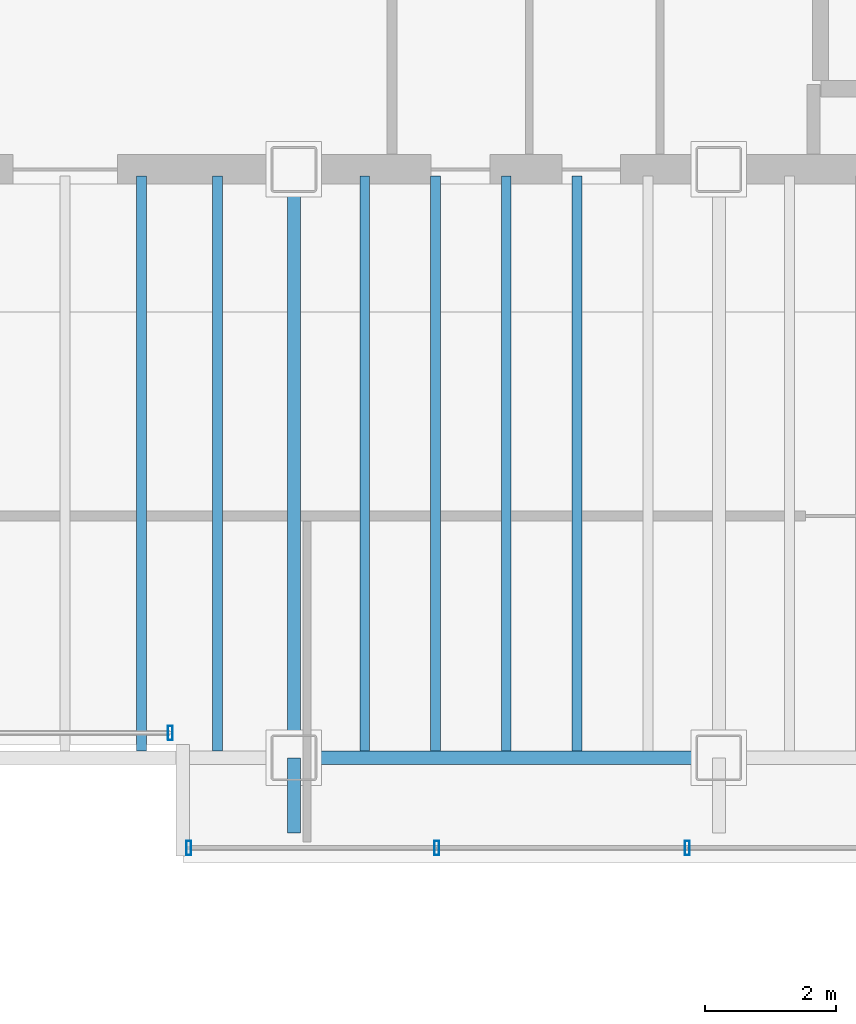
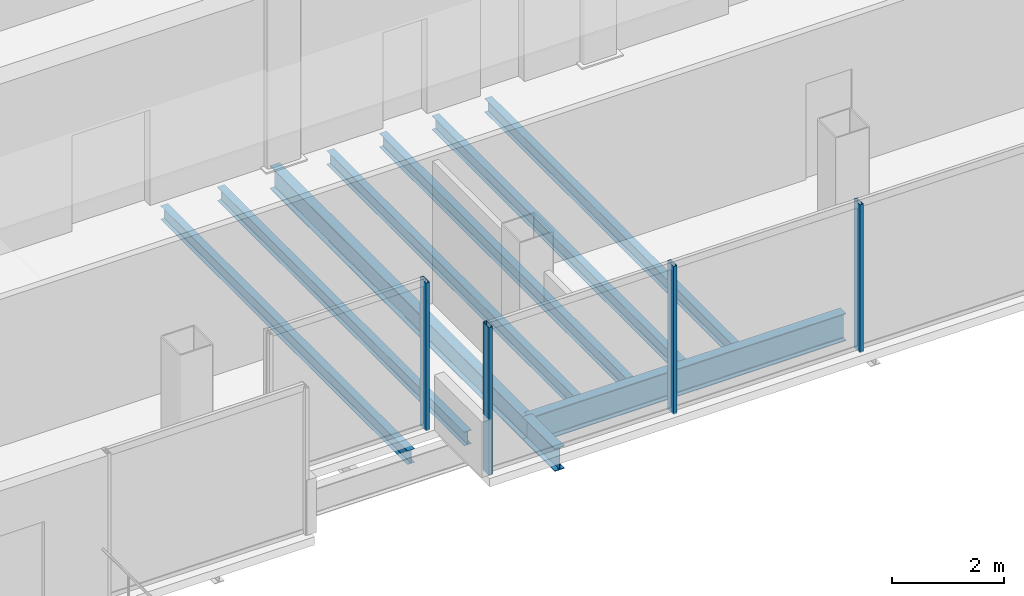
# One storey, part 6 of 17: 9 beams, 4 members, 2 elements without a shape of their own.
"""IFC4 building model written with IfcOpenShell, lengths in metres."""

from ifc_helpers import new_model, si_unit, direction, frame, origin, origin_2d, place, context, subcontext, project, spatial, hollow_rectangle, i_section, extrude, material, material_profile, profile_set, type_object, element, aggregate, save


model = new_model("IFC4")

# Units and contexts
model_context = context("Model", 3, precision=1e-05, world=origin(), true_north=direction((0.0, 1.0)))
body_context = subcontext(model_context, "Body", "Model", "MODEL_VIEW")
ifc_project = project(units=[si_unit("LENGTHUNIT", "METRE"), si_unit("AREAUNIT", "SQUARE_METRE"), si_unit("VOLUMEUNIT", "CUBIC_METRE"), si_unit("PLANEANGLEUNIT", "RADIAN"), si_unit("MASSUNIT", "GRAM", prefix="KILO")], contexts=[model_context])

# Site, building, storey
site_placement = place(None, origin())
site = spatial("IfcSite", under=ifc_project, at=site_placement, CompositionType="ELEMENT")
building_placement = place(site_placement, origin())
building = spatial("IfcBuilding", under=site, at=building_placement, Name="Noeulbin Bourse Tower", CompositionType="ELEMENT")
storey_placement = place(building_placement, frame((0.0, 0.0, 285.199951171875)))
storey = spatial("IfcBuildingStorey", under=building, at=storey_placement, Name="L71", CompositionType="ELEMENT", Elevation=285.199951171875)

# Beams
ifc_material_1 = material(Name="Steel S355", Category="steel")
ifc_material_profile_1 = material_profile(ifc_material_1, i_section(OverallWidth=0.199951171875, OverallDepth=0.5, WebThickness=0.010009765625, FlangeThickness=0.01611328125, FilletRadius=0.02001953125, at=origin_2d()), Name="H-500x200x10x16", Category="LoadBearing")
ifc_profile_set_1 = profile_set([ifc_material_profile_1], Name="Steel S355")
beam_type_1 = type_object("IfcBeamType", Name="BM-GRD-500", PredefinedType="USERDEFINED", material=ifc_profile_set_1)
beam_1_placement = place(storey_placement, frame((31.0, 18.85009765625, -0.429931640625), z_axis=(0.0, 1.0, 0.0), x_axis=(-1.0, 0.0, 0.0)))
element("IfcBeam", 1, at=beam_1_placement, inside=storey, type_object=beam_type_1, Name="Tower Primary Girder NS L71-3.1", ObjectType="GIRDER", PredefinedType="USERDEFINED", context=body_context, shape_type="SweptSolid", body=[
    extrude(i_section(OverallWidth=0.199951171875, OverallDepth=0.5, WebThickness=0.010009765625, FlangeThickness=0.01611328125, FilletRadius=0.02001953125, at=origin_2d()), origin(), (0.0, 0.0, 1.0), 1.14990234375),
])
beam_2_placement = place(storey_placement, frame((31.0, 20.0, -0.429931640625), z_axis=(0.0, 1.0, 0.0), x_axis=(-1.0, 0.0, 0.0)))
element("IfcBeam", 2, at=beam_2_placement, inside=storey, type_object=beam_type_1, Name="Tower Primary Girder NS L71-3.2", ObjectType="GIRDER", PredefinedType="USERDEFINED", context=body_context, shape_type="SweptSolid", body=[
    extrude(i_section(OverallWidth=0.199951171875, OverallDepth=0.5, WebThickness=0.010009765625, FlangeThickness=0.01611328125, FilletRadius=0.02001953125, at=origin_2d()), origin(), (0.0, 0.0, 1.0), 9.0),
])
ifc_material_profile_2 = material_profile(ifc_material_1, i_section(OverallWidth=0.199951171875, OverallDepth=0.60009765625, WebThickness=0.010986328125, FlangeThickness=0.01708984375, FilletRadius=0.02197265625, at=origin_2d()), Name="H-600x200x11x17", Category="LoadBearing")
ifc_profile_set_2 = profile_set([ifc_material_profile_2], Name="Steel S355")
beam_type_2 = type_object("IfcBeamType", Name="BM-GRD-600", PredefinedType="USERDEFINED", material=ifc_profile_set_2)
beam_3_placement = place(storey_placement, frame((31.0, 20.0, -0.47998046875), z_axis=(1.0, 0.0, 0.0), x_axis=(0.0, 1.0, 0.0)))
element("IfcBeam", 3, at=beam_3_placement, inside=storey, type_object=beam_type_2, Name="Tower Primary Girder EW L71-1.2", ObjectType="GIRDER", PredefinedType="USERDEFINED", context=body_context, shape_type="SweptSolid", body=[
    extrude(i_section(OverallWidth=0.199951171875, OverallDepth=0.60009765625, WebThickness=0.010986328125, FlangeThickness=0.01708984375, FilletRadius=0.02197265625, at=origin_2d()), origin(), (0.0, 0.0, 1.0), 6.5),
])
ifc_material_profile_3 = material_profile(ifc_material_1, i_section(OverallWidth=0.14990234375, OverallDepth=0.300048828125, WebThickness=0.006591796875, FlangeThickness=0.009033203125, FilletRadius=0.012939453125, at=origin_2d()), Name="H-300x150x6.5x9", Category="LoadBearing")
ifc_profile_set_3 = profile_set([ifc_material_profile_3], Name="Steel S355")
beam_type_3 = type_object("IfcBeamType", Name="BM-JST-300", PredefinedType="JOIST", material=ifc_profile_set_3)
for number, where, z_axis, x_axis, name in (
    (4, (28.666748046875, 20.10009765625, -0.329833984375), (0.0, 1.0, 0.0), (-1.0, 0.0, 0.0), "Tower Composite Joist L71-07"),
    (5, (29.833251953125, 20.10009765625, -0.329833984375), (0.0, 1.0, 0.0), (-1.0, 0.0, 0.0), "Tower Composite Joist L71-09"),
    (6, (32.083251953125, 20.10009765625, -0.329833984375), (0.0, 1.0, 0.0), (-1.0, 0.0, 0.0), "Tower Composite Joist L71-11"),
    (7, (33.166748046875, 20.10009765625, -0.329833984375), (0.0, 1.0, 0.0), (-1.0, 0.0, 0.0), "Tower Composite Joist L71-13"),
    (8, (34.25, 20.10009765625, -0.329833984375), (0.0, 1.0, 0.0), (-1.0, 0.0, 0.0), "Tower Composite Joist L71-15"),
    (9, (35.333251953125, 20.10009765625, -0.329833984375), (0.0, 1.0, 0.0), (-1.0, 0.0, 0.0), "Tower Composite Joist L71-17"),
):
    element("IfcBeam", number, at=place(storey_placement, frame(where, z_axis=z_axis, x_axis=x_axis)), inside=storey, type_object=beam_type_3, Name=name, PredefinedType="JOIST", context=body_context, shape_type="SweptSolid", body=[
        extrude(i_section(OverallWidth=0.14990234375, OverallDepth=0.300048828125, WebThickness=0.006591796875, FlangeThickness=0.009033203125, FilletRadius=0.012939453125, at=origin_2d()), origin(), (0.0, 0.0, 1.0), 8.7998046875),
    ])

# Curtain wall, member
ifc_material_2 = material(Name="High-Selectivity Low-Iron Glazing", Category="glass")
curtain_wall_type = type_object("IfcCurtainWallType", Name="CW-SYS-4", PredefinedType="NOTDEFINED", material=ifc_material_2)
curtain_wall_1_placement = place(storey_placement, origin())
curtain_wall_1 = element("IfcCurtainWall", 10, at=curtain_wall_1_placement, inside=storey, type_object=curtain_wall_type, Name="Unitised Curtain Wall CW-L71-SREC", PredefinedType="NOTDEFINED")
ifc_material_3 = material(Name="Anodised Aluminium 6063-T6", Category="aluminium")
ifc_material_profile_4 = material_profile(ifc_material_3, hollow_rectangle(XDim=0.074951171875, YDim=0.219970703125, WallThickness=0.0048828125, InnerFilletRadius=0.00244140625, OuterFilletRadius=0.0048828125, at=origin_2d()), Name="ALU-MULL-75x220x5", Category="LoadBearing")
ifc_profile_set_4 = profile_set([ifc_material_profile_4], Name="Anodised Aluminium 6063-T6")
member_type = type_object("IfcMemberType", Name="CW-SYS-4-MUL", PredefinedType="MULLION", material=ifc_profile_set_4)
member_1_placement = place(storey_placement, frame((29.110107421875, 20.3798828125, -0.02001953125), z_axis=(0.0, 0.0, 1.0), x_axis=(1.0, 0.0, 0.0)))
member_1 = element("IfcMember", 11, at=member_1_placement, type_object=member_type, Name="Curtain Wall Mullion CW-L71-SREC-M01", PredefinedType="MULLION", context=body_context, shape_type="SweptSolid", body=[
    extrude(hollow_rectangle(XDim=0.074951171875, YDim=0.219970703125, WallThickness=0.0048828125, InnerFilletRadius=0.00244140625, OuterFilletRadius=0.0048828125, at=origin_2d()), origin(), (0.0, 0.0, 1.0), 3.219970703125),
])
aggregate(curtain_wall_1, [member_1])

# Curtain wall, members
curtain_wall_2_placement = place(storey_placement, origin())
curtain_wall_2 = element("IfcCurtainWall", 12, at=curtain_wall_2_placement, inside=storey, type_object=curtain_wall_type, Name="Unitised Curtain Wall CW-L71-S3", PredefinedType="NOTDEFINED")
member_2_placement = place(storey_placement, frame((29.389892578125, 18.6201171875, -0.02001953125), z_axis=(0.0, 0.0, 1.0), x_axis=(1.0, 0.0, 0.0)))
member_2 = element("IfcMember", 13, at=member_2_placement, type_object=member_type, Name="Curtain Wall Mullion CW-L71-S3-M00", PredefinedType="MULLION", context=body_context, shape_type="SweptSolid", body=[
    extrude(hollow_rectangle(XDim=0.074951171875, YDim=0.219970703125, WallThickness=0.0048828125, InnerFilletRadius=0.00244140625, OuterFilletRadius=0.0048828125, at=origin_2d()), origin(), (0.0, 0.0, 1.0), 3.219970703125),
])
member_3_placement = place(storey_placement, frame((33.18408203125, 18.6201171875, -0.02001953125), z_axis=(0.0, 0.0, 1.0), x_axis=(1.0, 0.0, 0.0)))
member_3 = element("IfcMember", 14, at=member_3_placement, type_object=member_type, Name="Curtain Wall Mullion CW-L71-S3-M01", PredefinedType="MULLION", context=body_context, shape_type="SweptSolid", body=[
    extrude(hollow_rectangle(XDim=0.074951171875, YDim=0.219970703125, WallThickness=0.0048828125, InnerFilletRadius=0.00244140625, OuterFilletRadius=0.0048828125, at=origin_2d()), origin(), (0.0, 0.0, 1.0), 3.219970703125),
])
member_4_placement = place(storey_placement, frame((37.01806640625, 18.6201171875, -0.02001953125), z_axis=(0.0, 0.0, 1.0), x_axis=(1.0, 0.0, 0.0)))
member_4 = element("IfcMember", 15, at=member_4_placement, type_object=member_type, Name="Curtain Wall Mullion CW-L71-S3-M02", PredefinedType="MULLION", context=body_context, shape_type="SweptSolid", body=[
    extrude(hollow_rectangle(XDim=0.074951171875, YDim=0.219970703125, WallThickness=0.0048828125, InnerFilletRadius=0.00244140625, OuterFilletRadius=0.0048828125, at=origin_2d()), origin(), (0.0, 0.0, 1.0), 3.219970703125),
])
aggregate(curtain_wall_2, [member_2, member_3, member_4])

save(model, "model.ifc")
